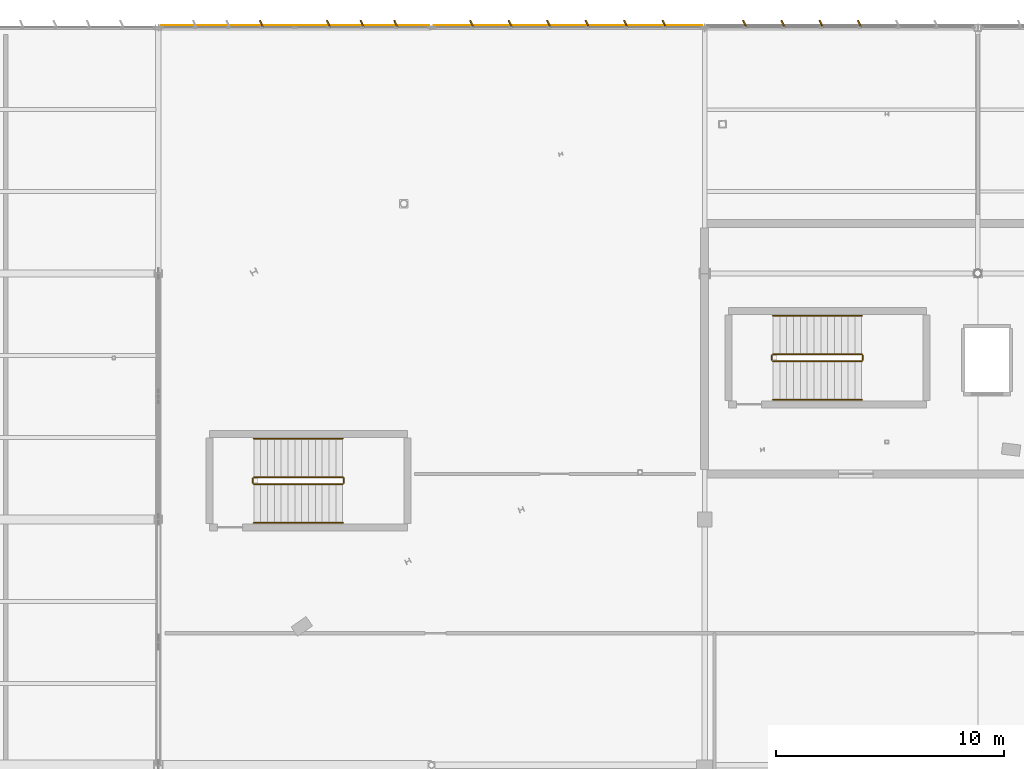
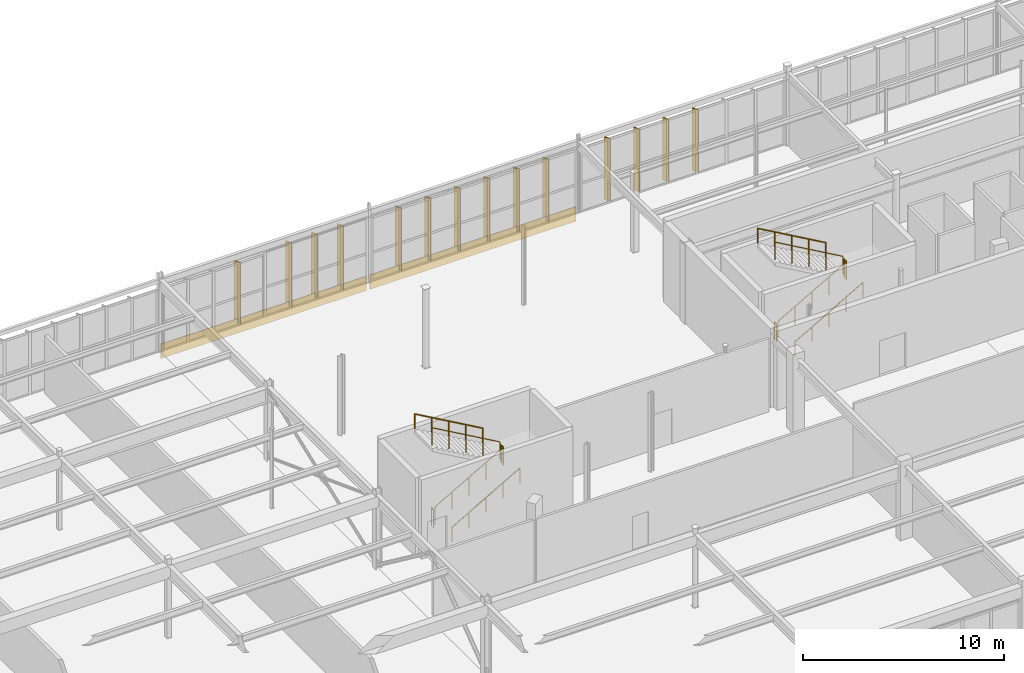
# One storey, part 212 of 226: 14 shading devices, 12 railings, 2 coverings.
"""IFC4 building model written with IfcOpenShell, lengths in metres."""

from ifc_helpers import new_model, si_unit, direction, frame, origin, origin_2d, place, context, subcontext, project, spatial, rectangle, circle, extrude, material, layer, layer_set, type_object, element, save


model = new_model("IFC4")

# Units and contexts
model_context = context("Model", 3, precision=1e-05, world=origin(), true_north=direction((0.0, 1.0)))
body_context = subcontext(model_context, "Body", "Model", "MODEL_VIEW")
ifc_project = project(units=[si_unit("LENGTHUNIT", "METRE"), si_unit("AREAUNIT", "SQUARE_METRE"), si_unit("VOLUMEUNIT", "CUBIC_METRE"), si_unit("PLANEANGLEUNIT", "RADIAN"), si_unit("MASSUNIT", "GRAM", prefix="KILO")], contexts=[model_context])

# Site, building, storey
site_placement = place(None, origin())
site = spatial("IfcSite", under=ifc_project, at=site_placement, CompositionType="ELEMENT")
building_placement = place(site_placement, origin())
building = spatial("IfcBuilding", under=site, at=building_placement, Name="Tarnwether General Hospital", CompositionType="ELEMENT")
storey_placement = place(building_placement, frame((0.0, 0.0, 4.800048828125)))
storey = spatial("IfcBuildingStorey", under=building, at=storey_placement, Name="L01", CompositionType="ELEMENT", Elevation=4.800048828125)

# Coverings
ifc_material_1 = material(Name="Folded zinc-titanium cladding")
ifc_layer_1 = layer(ifc_material_1, 0.0400390625)
ifc_layer_set_1 = layer_set([ifc_layer_1], Name="Folded zinc-titanium cladding")
covering_type = type_object("IfcCoveringType", Name="CV-CLD-ZNC", PredefinedType="CLADDING", material=ifc_layer_set_1)
for number, where, z_axis, x_axis, name in (
    (1, (66.0, 126.090087890625, -0.52001953125), (0.0, 0.0, 1.0), (1.0, 0.0, 0.0), "Diagnostic Base Faceted Zinc Spandrel 070"),
    (2, (78.0, 126.090087890625, -0.52001953125), (0.0, 0.0, 1.0), (1.0, 0.0, 0.0), "Diagnostic Base Faceted Zinc Spandrel 071"),
):
    element("IfcCovering", number, at=place(storey_placement, frame(where, z_axis=z_axis, x_axis=x_axis)), inside=storey, type_object=covering_type, Name=name, PredefinedType="CLADDING", context=body_context, shape_type="SweptSolid", body=[
        extrude(rectangle(XDim=11.800048828125, YDim=0.0400390625, at=origin_2d()), origin(), (0.0, 0.0, 1.0), 0.8798828125),
    ])

# Railings
ifc_material_2 = material(Name="Anodised aluminium", Category="aluminium")
railing_type_1 = type_object("IfcRailingType", Name="RL-GRD-INT", PredefinedType="GUARDRAIL", material=ifc_material_2)
railing_1_placement = place(storey_placement, frame((87.0, 111.35009765625, 0.17138671875)))
element("IfcRailing", 3, at=railing_1_placement, inside=storey, type_object=railing_type_1, Name="L01 ST-01 stair guard 1", PredefinedType="GUARDRAIL", context=body_context, shape_type="SweptSolid", body=[
    extrude(circle(Radius=0.02392578125, at=origin_2d()), frame((0.0, 0.0, 1.076171875), z_axis=(0.868243142124, 0.0, 0.496138938357), x_axis=(0.0, 1.0, 0.0)), (0.0, 0.0, 1.0), 4.49169921875),
    extrude(circle(Radius=0.02099609375, at=origin_2d()), origin(), (0.0, 0.0, 1.0), 1.052001953125),
    extrude(circle(Radius=0.02099609375, at=origin_2d()), frame((0.97509765625, 0.0, 0.55712890625)), (0.0, 0.0, 1.0), 1.052001953125),
    extrude(circle(Radius=0.02099609375, at=origin_2d()), frame((1.949951171875, 0.0, 1.1142578125)), (0.0, 0.0, 1.0), 1.052001953125),
    extrude(circle(Radius=0.02099609375, at=origin_2d()), frame((2.9248046875, 0.0, 1.67138671875)), (0.0, 0.0, 1.0), 1.052001953125),
    extrude(circle(Radius=0.02099609375, at=origin_2d()), frame((3.89990234375, 0.0, 2.228515625)), (0.0, 0.0, 1.0), 1.052001953125),
])
railing_2_placement = place(storey_placement, frame((90.949951171875, 111.39990234375, 2.39990234375)))
element("IfcRailing", 4, at=railing_2_placement, inside=storey, type_object=railing_type_1, Name="L01 ST-01 stair guard 2", PredefinedType="GUARDRAIL", context=body_context, shape_type="SweptSolid", body=[
    extrude(circle(Radius=0.02392578125, at=origin_2d()), frame((0.0, 0.0, 1.076171875), z_axis=(0.0, 1.0, 0.0), x_axis=(-1.0, 0.0, 0.0)), (0.0, 0.0, 1.0), 0.2001953125),
    extrude(circle(Radius=0.02099609375, at=origin_2d()), origin(), (0.0, 0.0, 1.0), 1.052001953125),
    extrude(circle(Radius=0.02099609375, at=origin_2d()), frame((0.0, 0.2001953125, 0.0)), (0.0, 0.0, 1.0), 1.052001953125),
])
railing_3_placement = place(storey_placement, frame((90.89990234375, 111.64990234375, 2.5712890625)))
element("IfcRailing", 5, at=railing_3_placement, inside=storey, type_object=railing_type_1, Name="L01 ST-01 stair guard 3", PredefinedType="GUARDRAIL", context=body_context, shape_type="SweptSolid", body=[
    extrude(circle(Radius=0.02392578125, at=origin_2d()), frame((0.0, 0.0, 1.076171875), z_axis=(-0.868219727965, 0.0, 0.496179910892), x_axis=(0.0, -1.0, 0.0)), (0.0, 0.0, 1.0), 4.491943359375),
    extrude(circle(Radius=0.02099609375, at=origin_2d()), origin(), (0.0, 0.0, 1.0), 1.052001953125),
    extrude(circle(Radius=0.02099609375, at=origin_2d()), frame((-0.97509765625, 0.0, 0.55712890625)), (0.0, 0.0, 1.0), 1.052001953125),
    extrude(circle(Radius=0.02099609375, at=origin_2d()), frame((-1.949951171875, 0.0, 1.1142578125)), (0.0, 0.0, 1.0), 1.052001953125),
    extrude(circle(Radius=0.02099609375, at=origin_2d()), frame((-2.9248046875, 0.0, 1.671630859375)), (0.0, 0.0, 1.0), 1.052001953125),
    extrude(circle(Radius=0.02099609375, at=origin_2d()), frame((-3.89990234375, 0.0, 2.228759765625)), (0.0, 0.0, 1.0), 1.052001953125),
])
railing_4_placement = place(storey_placement, frame((86.949951171875, 111.39990234375, 0.0)))
element("IfcRailing", 6, at=railing_4_placement, inside=storey, type_object=railing_type_1, Name="L01 ST-01 stair guard 4", PredefinedType="GUARDRAIL", context=body_context, shape_type="SweptSolid", body=[
    extrude(circle(Radius=0.02392578125, at=origin_2d()), frame((0.0, 0.0, 1.076171875), z_axis=(0.0, 1.0, 0.0), x_axis=(-1.0, 0.0, 0.0)), (0.0, 0.0, 1.0), 0.2001953125),
    extrude(circle(Radius=0.02099609375, at=origin_2d()), origin(), (0.0, 0.0, 1.0), 1.052001953125),
    extrude(circle(Radius=0.02099609375, at=origin_2d()), frame((0.0, 0.2001953125, 0.0)), (0.0, 0.0, 1.0), 1.052001953125),
])
railing_5_placement = place(storey_placement, frame((64.199951171875, 105.949951171875, 0.17138671875)))
element("IfcRailing", 7, at=railing_5_placement, inside=storey, type_object=railing_type_1, Name="L01 ST-07 stair guard 1", PredefinedType="GUARDRAIL", context=body_context, shape_type="SweptSolid", body=[
    extrude(circle(Radius=0.02392578125, at=origin_2d()), frame((0.0, 0.0, 1.076171875), z_axis=(0.868256520506, 0.0, 0.496115525457), x_axis=(0.0, 1.0, 0.0)), (0.0, 0.0, 1.0), 4.491943359375),
    extrude(circle(Radius=0.02099609375, at=origin_2d()), origin(), (0.0, 0.0, 1.0), 1.052001953125),
    extrude(circle(Radius=0.02099609375, at=origin_2d()), frame((0.97509765625, 0.0, 0.55712890625)), (0.0, 0.0, 1.0), 1.052001953125),
    extrude(circle(Radius=0.02099609375, at=origin_2d()), frame((1.9501953125, 0.0, 1.1142578125)), (0.0, 0.0, 1.0), 1.052001953125),
    extrude(circle(Radius=0.02099609375, at=origin_2d()), frame((2.925048828125, 0.0, 1.67138671875)), (0.0, 0.0, 1.0), 1.052001953125),
    extrude(circle(Radius=0.02099609375, at=origin_2d()), frame((3.900146484375, 0.0, 2.228515625)), (0.0, 0.0, 1.0), 1.052001953125),
])
railing_6_placement = place(storey_placement, frame((68.14990234375, 106.0, 2.39990234375)))
element("IfcRailing", 8, at=railing_6_placement, inside=storey, type_object=railing_type_1, Name="L01 ST-07 stair guard 2", PredefinedType="GUARDRAIL", context=body_context, shape_type="SweptSolid", body=[
    extrude(circle(Radius=0.02392578125, at=origin_2d()), frame((0.0, 0.0, 1.076171875), z_axis=(0.0, 1.0, 0.0), x_axis=(-1.0, 0.0, 0.0)), (0.0, 0.0, 1.0), 0.199951171875),
    extrude(circle(Radius=0.02099609375, at=origin_2d()), origin(), (0.0, 0.0, 1.0), 1.052001953125),
    extrude(circle(Radius=0.02099609375, at=origin_2d()), frame((0.0, 0.199951171875, 0.0)), (0.0, 0.0, 1.0), 1.052001953125),
])
railing_7_placement = place(storey_placement, frame((68.10009765625, 106.25, 2.5712890625)))
element("IfcRailing", 9, at=railing_7_placement, inside=storey, type_object=railing_type_1, Name="L01 ST-07 stair guard 3", PredefinedType="GUARDRAIL", context=body_context, shape_type="SweptSolid", body=[
    extrude(circle(Radius=0.02392578125, at=origin_2d()), frame((0.0, 0.0, 1.076171875), z_axis=(-0.868233108195, 0.0, 0.496156497321), x_axis=(0.0, -1.0, 0.0)), (0.0, 0.0, 1.0), 4.491943359375),
    extrude(circle(Radius=0.02099609375, at=origin_2d()), origin(), (0.0, 0.0, 1.0), 1.052001953125),
    extrude(circle(Radius=0.02099609375, at=origin_2d()), frame((-0.97509765625, 0.0, 0.55712890625)), (0.0, 0.0, 1.0), 1.052001953125),
    extrude(circle(Radius=0.02099609375, at=origin_2d()), frame((-1.9501953125, 0.0, 1.1142578125)), (0.0, 0.0, 1.0), 1.052001953125),
    extrude(circle(Radius=0.02099609375, at=origin_2d()), frame((-2.925048828125, 0.0, 1.671630859375)), (0.0, 0.0, 1.0), 1.052001953125),
    extrude(circle(Radius=0.02099609375, at=origin_2d()), frame((-3.900146484375, 0.0, 2.228759765625)), (0.0, 0.0, 1.0), 1.052001953125),
])
railing_8_placement = place(storey_placement, frame((64.14990234375, 106.0, 0.0)))
element("IfcRailing", 10, at=railing_8_placement, inside=storey, type_object=railing_type_1, Name="L01 ST-07 stair guard 4", PredefinedType="GUARDRAIL", context=body_context, shape_type="SweptSolid", body=[
    extrude(circle(Radius=0.02392578125, at=origin_2d()), frame((0.0, 0.0, 1.076171875), z_axis=(0.0, 1.0, 0.0), x_axis=(-1.0, 0.0, 0.0)), (0.0, 0.0, 1.0), 0.199951171875),
    extrude(circle(Radius=0.02099609375, at=origin_2d()), origin(), (0.0, 0.0, 1.0), 1.052001953125),
    extrude(circle(Radius=0.02099609375, at=origin_2d()), frame((0.0, 0.199951171875, 0.0)), (0.0, 0.0, 1.0), 1.052001953125),
])
ifc_material_3 = material(Name="Anodised aluminium", Category="aluminium")
railing_type_2 = type_object("IfcRailingType", Name="RL-HND-INT", PredefinedType="HANDRAIL", material=ifc_material_3)
railing_9_placement = place(storey_placement, frame((87.0, 109.64990234375, 0.17138671875)))
element("IfcRailing", 11, at=railing_9_placement, inside=storey, type_object=railing_type_2, Name="L01 ST-01 stair handrail 1", PredefinedType="HANDRAIL", context=body_context, shape_type="SweptSolid", body=[
    extrude(circle(Radius=0.02392578125, at=origin_2d()), frame((0.0, 0.0, 0.8759765625), z_axis=(0.868243142124, 0.0, 0.496138938357), x_axis=(0.0, 1.0, 0.0)), (0.0, 0.0, 1.0), 4.49169921875),
    extrude(circle(Radius=0.02099609375, at=origin_2d()), origin(), (0.0, 0.0, 1.0), 0.851806640625),
    extrude(circle(Radius=0.02099609375, at=origin_2d()), frame((0.97509765625, 0.0, 0.55712890625)), (0.0, 0.0, 1.0), 0.851806640625),
    extrude(circle(Radius=0.02099609375, at=origin_2d()), frame((1.949951171875, 0.0, 1.1142578125)), (0.0, 0.0, 1.0), 0.851806640625),
    extrude(circle(Radius=0.02099609375, at=origin_2d()), frame((2.9248046875, 0.0, 1.67138671875)), (0.0, 0.0, 1.0), 0.851806640625),
    extrude(circle(Radius=0.02099609375, at=origin_2d()), frame((3.89990234375, 0.0, 2.228515625)), (0.0, 0.0, 1.0), 0.851806640625),
])
railing_10_placement = place(storey_placement, frame((90.89990234375, 113.35009765625, 2.5712890625)))
element("IfcRailing", 12, at=railing_10_placement, inside=storey, type_object=railing_type_2, Name="L01 ST-01 stair handrail 2", PredefinedType="HANDRAIL", context=body_context, shape_type="SweptSolid", body=[
    extrude(circle(Radius=0.02392578125, at=origin_2d()), frame((0.0, 0.0, 0.8759765625), z_axis=(-0.868219727965, 0.0, 0.496179910892), x_axis=(0.0, -1.0, 0.0)), (0.0, 0.0, 1.0), 4.491943359375),
    extrude(circle(Radius=0.02099609375, at=origin_2d()), origin(), (0.0, 0.0, 1.0), 0.851806640625),
    extrude(circle(Radius=0.02099609375, at=origin_2d()), frame((-0.97509765625, 0.0, 0.55712890625)), (0.0, 0.0, 1.0), 0.851806640625),
    extrude(circle(Radius=0.02099609375, at=origin_2d()), frame((-1.949951171875, 0.0, 1.1142578125)), (0.0, 0.0, 1.0), 0.851806640625),
    extrude(circle(Radius=0.02099609375, at=origin_2d()), frame((-2.9248046875, 0.0, 1.671630859375)), (0.0, 0.0, 1.0), 0.851806640625),
    extrude(circle(Radius=0.02099609375, at=origin_2d()), frame((-3.89990234375, 0.0, 2.228759765625)), (0.0, 0.0, 1.0), 0.851806640625),
])
railing_11_placement = place(storey_placement, frame((64.199951171875, 104.25, 0.17138671875)))
element("IfcRailing", 13, at=railing_11_placement, inside=storey, type_object=railing_type_2, Name="L01 ST-07 stair handrail 1", PredefinedType="HANDRAIL", context=body_context, shape_type="SweptSolid", body=[
    extrude(circle(Radius=0.02392578125, at=origin_2d()), frame((0.0, 0.0, 0.8759765625), z_axis=(0.868256520506, 0.0, 0.496115525457), x_axis=(0.0, 1.0, 0.0)), (0.0, 0.0, 1.0), 4.491943359375),
    extrude(circle(Radius=0.02099609375, at=origin_2d()), origin(), (0.0, 0.0, 1.0), 0.851806640625),
    extrude(circle(Radius=0.02099609375, at=origin_2d()), frame((0.97509765625, 0.0, 0.55712890625)), (0.0, 0.0, 1.0), 0.851806640625),
    extrude(circle(Radius=0.02099609375, at=origin_2d()), frame((1.9501953125, 0.0, 1.1142578125)), (0.0, 0.0, 1.0), 0.851806640625),
    extrude(circle(Radius=0.02099609375, at=origin_2d()), frame((2.925048828125, 0.0, 1.67138671875)), (0.0, 0.0, 1.0), 0.851806640625),
    extrude(circle(Radius=0.02099609375, at=origin_2d()), frame((3.900146484375, 0.0, 2.228515625)), (0.0, 0.0, 1.0), 0.851806640625),
])
railing_12_placement = place(storey_placement, frame((68.10009765625, 107.949951171875, 2.5712890625)))
element("IfcRailing", 14, at=railing_12_placement, inside=storey, type_object=railing_type_2, Name="L01 ST-07 stair handrail 2", PredefinedType="HANDRAIL", context=body_context, shape_type="SweptSolid", body=[
    extrude(circle(Radius=0.02392578125, at=origin_2d()), frame((0.0, 0.0, 0.8759765625), z_axis=(-0.868233108195, 0.0, 0.496156497321), x_axis=(0.0, -1.0, 0.0)), (0.0, 0.0, 1.0), 4.491943359375),
    extrude(circle(Radius=0.02099609375, at=origin_2d()), origin(), (0.0, 0.0, 1.0), 0.851806640625),
    extrude(circle(Radius=0.02099609375, at=origin_2d()), frame((-0.97509765625, 0.0, 0.55712890625)), (0.0, 0.0, 1.0), 0.851806640625),
    extrude(circle(Radius=0.02099609375, at=origin_2d()), frame((-1.9501953125, 0.0, 1.1142578125)), (0.0, 0.0, 1.0), 0.851806640625),
    extrude(circle(Radius=0.02099609375, at=origin_2d()), frame((-2.925048828125, 0.0, 1.671630859375)), (0.0, 0.0, 1.0), 0.851806640625),
    extrude(circle(Radius=0.02099609375, at=origin_2d()), frame((-3.900146484375, 0.0, 2.228759765625)), (0.0, 0.0, 1.0), 0.851806640625),
])

# Shading devices
ifc_material_4 = material(Name="Champagne-bronze anodised aluminium", Category="aluminium")
ifc_layer_2 = layer(ifc_material_4, 0.06005859375)
ifc_layer_set_2 = layer_set([ifc_layer_2], Name="Champagne-bronze anodised aluminium")
shading_device_type = type_object("IfcShadingDeviceType", Name="SH-FIN-BRZ", PredefinedType="USERDEFINED", material=ifc_layer_set_2)
shading_device_placement = place(storey_placement, frame((64.533935546875, 126.159912109375, 0.050048828125), z_axis=(0.0, 0.0, 1.0), x_axis=(0.906307787037, 0.422618261741, 0.0)))
element("IfcShadingDevice", 15, at=shading_device_placement, inside=storey, type_object=shading_device_type, Name="Champagne-Bronze Brise-Soleil Fin 0196", ObjectType="SOLAR FIN", PredefinedType="USERDEFINED", context=body_context, shape_type="SweptSolid", body=[
    extrude(rectangle(XDim=0.06005859375, YDim=0.360107421875, at=origin_2d()), origin(), (0.0, 0.0, 1.0), 3.72802734375),
])
for number, where, z_axis, x_axis, name in (
    (16, (67.47900390625, 126.159912109375, 0.050048828125), (0.0, 0.0, 1.0), (0.906307787037, 0.422618261741, 0.0), "Champagne-Bronze Brise-Soleil Fin 0197"),
    (17, (68.9580078125, 126.159912109375, 0.050048828125), (0.0, 0.0, 1.0), (0.906307787037, 0.422618261741, 0.0), "Champagne-Bronze Brise-Soleil Fin 0198"),
    (18, (70.43701171875, 126.159912109375, 0.050048828125), (0.0, 0.0, 1.0), (0.906307787037, 0.422618261741, 0.0), "Champagne-Bronze Brise-Soleil Fin 0199"),
):
    element("IfcShadingDevice", number, at=place(storey_placement, frame(where, z_axis=z_axis, x_axis=x_axis)), inside=storey, type_object=shading_device_type, Name=name, ObjectType="SOLAR FIN", PredefinedType="USERDEFINED", context=body_context, shape_type="SweptSolid", body=[
        extrude(rectangle(XDim=0.06005859375, YDim=0.360107421875, at=origin_2d()), origin(), (0.0, 0.0, 1.0), 3.8759765625),
    ])
for number, where, z_axis, x_axis, name in (
    (19, (73.77392578125, 126.159912109375, 0.0498046875), (0.0, 0.0, 1.0), (0.906307787037, 0.422618261741, 0.0), "Champagne-Bronze Brise-Soleil Fin 0200"),
    (20, (75.465087890625, 126.159912109375, 0.0498046875), (0.0, 0.0, 1.0), (0.906307787037, 0.422618261741, 0.0), "Champagne-Bronze Brise-Soleil Fin 0201"),
    (21, (77.155029296875, 126.159912109375, 0.0498046875), (0.0, 0.0, 1.0), (0.906307787037, 0.422618261741, 0.0), "Champagne-Bronze Brise-Soleil Fin 0202"),
    (22, (78.844970703125, 126.159912109375, 0.0498046875), (0.0, 0.0, 1.0), (0.906307787037, 0.422618261741, 0.0), "Champagne-Bronze Brise-Soleil Fin 0203"),
    (23, (80.534912109375, 126.159912109375, 0.0498046875), (0.0, 0.0, 1.0), (0.906307787037, 0.422618261741, 0.0), "Champagne-Bronze Brise-Soleil Fin 0204"),
    (24, (82.22607421875, 126.159912109375, 0.0498046875), (0.0, 0.0, 1.0), (0.906307787037, 0.422618261741, 0.0), "Champagne-Bronze Brise-Soleil Fin 0205"),
    (25, (85.763916015625, 126.159912109375, 0.0498046875), (0.0, 0.0, 1.0), (0.906307787037, 0.422618261741, 0.0), "Champagne-Bronze Brise-Soleil Fin 0206"),
    (26, (87.443115234375, 126.159912109375, 0.0498046875), (0.0, 0.0, 1.0), (0.906307787037, 0.422618261741, 0.0), "Champagne-Bronze Brise-Soleil Fin 0207"),
    (27, (89.123046875, 126.159912109375, 0.0498046875), (0.0, 0.0, 1.0), (0.906307787037, 0.422618261741, 0.0), "Champagne-Bronze Brise-Soleil Fin 0208"),
    (28, (90.802978515625, 126.159912109375, 0.0498046875), (0.0, 0.0, 1.0), (0.906307787037, 0.422618261741, 0.0), "Champagne-Bronze Brise-Soleil Fin 0209"),
):
    element("IfcShadingDevice", number, at=place(storey_placement, frame(where, z_axis=z_axis, x_axis=x_axis)), inside=storey, type_object=shading_device_type, Name=name, ObjectType="SOLAR FIN", PredefinedType="USERDEFINED", context=body_context, shape_type="SweptSolid", body=[
        extrude(rectangle(XDim=0.06005859375, YDim=0.360107421875, at=origin_2d()), origin(), (0.0, 0.0, 1.0), 3.802001953125),
    ])

save(model, "model.ifc")
